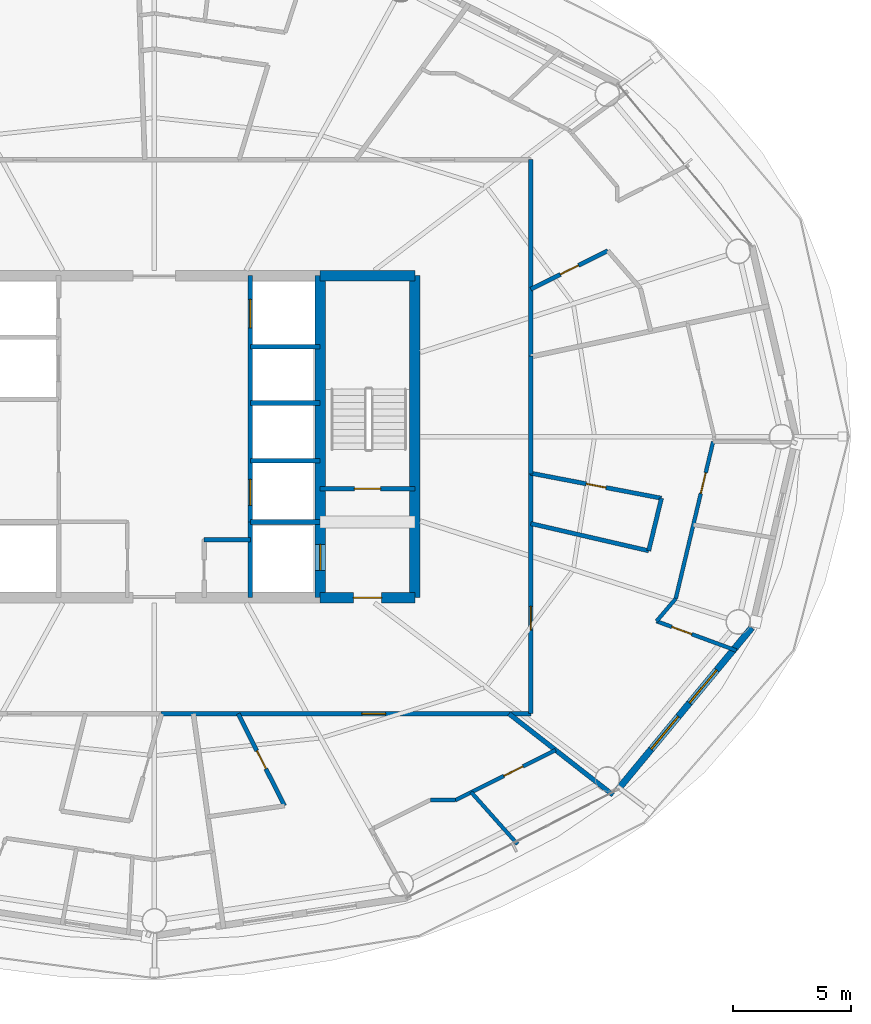
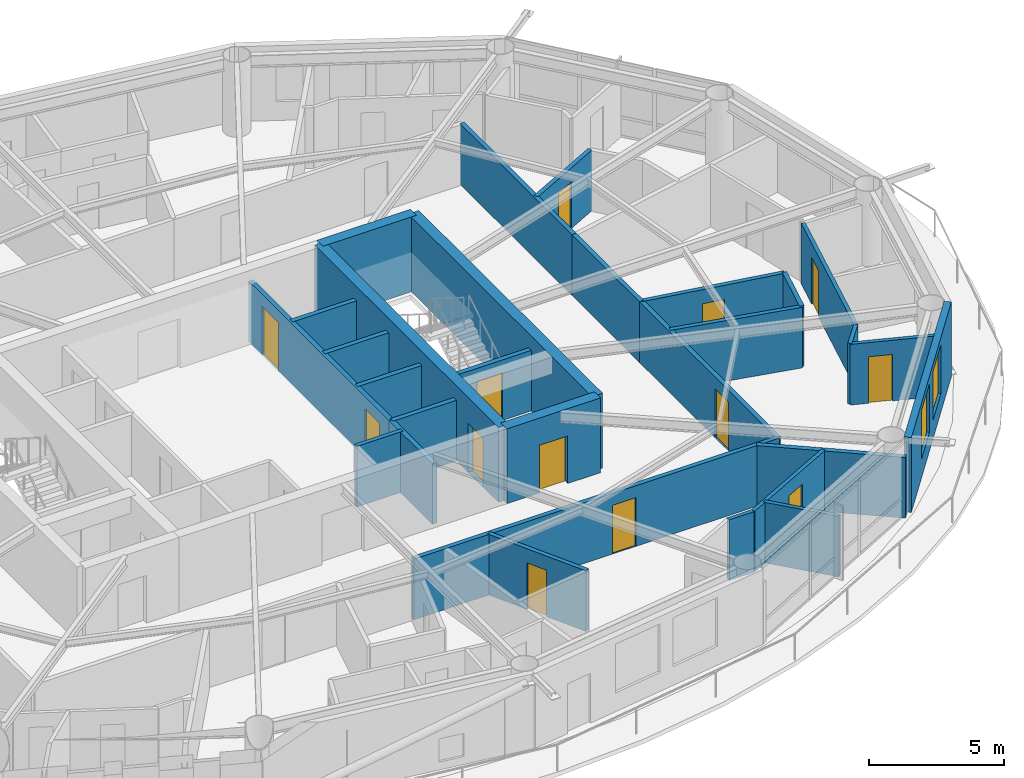
# One storey, part 23 of 30: 29 walls, 13 doors, 2 windows, 15 openings.
"""IFC4 building model written with IfcOpenShell, lengths in metres."""

from ifc_helpers import new_model, si_unit, direction, frame, frame_2d, origin, place, context, subcontext, project, spatial, rectangle, extrude, material, layer, layer_set, type_object, element, fill, save


model = new_model("IFC4")

# Units and contexts
model_context = context("Model", 3, precision=1e-05, world=origin(), true_north=direction((0.0, 1.0)))
body_context = subcontext(model_context, "Body", "Model", "MODEL_VIEW")
ifc_project = project(units=[si_unit("LENGTHUNIT", "METRE"), si_unit("AREAUNIT", "SQUARE_METRE"), si_unit("VOLUMEUNIT", "CUBIC_METRE"), si_unit("PLANEANGLEUNIT", "RADIAN"), si_unit("MASSUNIT", "GRAM", prefix="KILO")], contexts=[model_context])

# Site, building, storey
site_placement = place(None, origin())
site = spatial("IfcSite", under=ifc_project, at=site_placement, CompositionType="ELEMENT")
building_placement = place(site_placement, origin())
building = spatial("IfcBuilding", under=site, at=building_placement, Name="Sarneth Arch Tower", CompositionType="ELEMENT")
storey_placement = place(building_placement, frame((0.0, 0.0, 168.60009765625)))
storey = spatial("IfcBuildingStorey", under=building, at=storey_placement, Name="L42", CompositionType="ELEMENT", Elevation=168.60009765625)

# Wall, opening, door
ifc_material_1 = material(Name="Concrete C50/60", Category="concrete")
ifc_layer_1 = layer(ifc_material_1, 0.449951171875)
ifc_layer_set_1 = layer_set([ifc_layer_1], Name="Concrete C50/60")
wall_type_1 = type_object("IfcWallType", Name="WALL-CORE-450", PredefinedType="SHEAR", material=ifc_layer_set_1)
wall_1_placement = place(storey_placement, frame((55.0, 35.199951171875, 0.0), z_axis=(0.0, 0.0, 1.0), x_axis=(1.0, 0.0, 0.0)))
wall_1 = element("IfcWall", 1, at=wall_1_placement, inside=storey, type_object=wall_type_1, Name="L42 Core shear wall S-E", PredefinedType="SHEAR", context=body_context, shape_type="SweptSolid", body=[
    extrude(rectangle(XDim=4.0, YDim=0.449951171875, at=frame_2d((2.0, 0.0))), origin(), (0.0, 0.0, 1.0), 3.3798828125),
])
opening_1_placement = place(wall_1_placement, frame((1.39990234375, 0.0, 0.0)))
opening_1 = element("IfcOpeningElement", 2, at=opening_1_placement, cuts=wall_1, Name="Opening FD-02", PredefinedType="OPENING", context=body_context, shape_type="SweptSolid", body=[
    extrude(rectangle(XDim=1.199951171875, YDim=2.14990234375, at=frame_2d((0.60009765625, 1.074951171875))), frame((0.0, 0.23486328125, 0.0), z_axis=(0.0, -1.0, 0.0), x_axis=(1.0, 0.0, 0.0)), (0.0, 0.0, 1.0), 0.469970703125),
])
ifc_material_2 = material(Name="Galvanised Steel S275 fire door set", Category="steel")
door_type_1 = type_object("IfcDoorType", Name="DR-FD90-1200", OperationType="SINGLE_SWING_LEFT", PredefinedType="DOOR", material=ifc_material_2)
door_1_placement = place(opening_1_placement, origin())
door_1 = element("IfcDoor", 3, at=door_1_placement, inside=storey, type_object=door_type_1, Name="L42 Firefighting lobby 2 exit door", OperationType="SINGLE_SWING_RIGHT", OverallHeight=2.14990234375, OverallWidth=1.199951171875, PredefinedType="DOOR", context=body_context, shape_type="SweptSolid", body=[
    extrude(rectangle(XDim=1.199951171875, YDim=2.14990234375, at=frame_2d((0.60009765625, 1.074951171875))), frame((0.0, 0.02490234375, 0.0), z_axis=(0.0, -1.0, 0.0), x_axis=(1.0, 0.0, 0.0)), (0.0, 0.0, 1.0), 0.050048828125),
])
fill(opening_1, door_1)

# Walls
wall_2_placement = place(storey_placement, frame((55.0, 48.800048828125, 0.0), z_axis=(0.0, 0.0, 1.0), x_axis=(1.0, 0.0, 0.0)))
element("IfcWall", 4, at=wall_2_placement, inside=storey, type_object=wall_type_1, Name="L42 Core shear wall N-E", PredefinedType="SHEAR", context=body_context, shape_type="SweptSolid", body=[
    extrude(rectangle(XDim=4.0, YDim=0.449951171875, at=frame_2d((2.0, 0.0))), origin(), (0.0, 0.0, 1.0), 3.3798828125),
])
wall_3_placement = place(storey_placement, frame((59.0, 35.199951171875, 0.0), z_axis=(0.0, 0.0, 1.0), x_axis=(0.0, 1.0, 0.0)))
element("IfcWall", 5, at=wall_3_placement, inside=storey, type_object=wall_type_1, Name="L42 Core shear wall E", PredefinedType="SHEAR", context=body_context, shape_type="SweptSolid", body=[
    extrude(rectangle(XDim=13.60009765625, YDim=0.449951171875, at=frame_2d((6.800048828125, 0.0))), origin(), (0.0, 0.0, 1.0), 3.3798828125),
])

# Wall, opening, door
wall_4_placement = place(storey_placement, frame((55.0, 35.199951171875, 0.0), z_axis=(0.0, 0.0, 1.0), x_axis=(0.0, 1.0, 0.0)))
wall_4 = element("IfcWall", 6, at=wall_4_placement, inside=storey, type_object=wall_type_1, Name="L42 Core shear wall WEB-E", PredefinedType="SHEAR", context=body_context, shape_type="SweptSolid", body=[
    extrude(rectangle(XDim=13.60009765625, YDim=0.449951171875, at=frame_2d((6.800048828125, 0.0))), origin(), (0.0, 0.0, 1.0), 3.3798828125),
])
opening_2_placement = place(wall_4_placement, frame((1.14990234375, 0.0, 0.0)))
opening_2 = element("IfcOpeningElement", 7, at=opening_2_placement, cuts=wall_4, Name="Opening LD-1", PredefinedType="OPENING", context=body_context, shape_type="SweptSolid", body=[
    extrude(rectangle(XDim=1.10009765625, YDim=2.199951171875, at=frame_2d((0.550048828125, 1.10009765625))), frame((0.0, 0.23486328125, 0.0), z_axis=(0.0, -1.0, 0.0), x_axis=(1.0, 0.0, 0.0)), (0.0, 0.0, 1.0), 0.469970703125),
])
ifc_material_3 = material(Name="Brushed Stainless Steel 304 lift landing door", Category="steel")
door_type_2 = type_object("IfcDoorType", Name="DR-LIFT-SLIDE-1100", OperationType="SLIDING_TO_LEFT", PredefinedType="DOOR", material=ifc_material_3)
door_2_placement = place(opening_2_placement, origin())
door_2 = element("IfcDoor", 8, at=door_2_placement, inside=storey, type_object=door_type_2, Name="L42 Firefighting lift landing door FL-2", OperationType="SLIDING_TO_RIGHT", OverallHeight=2.199951171875, OverallWidth=1.10009765625, PredefinedType="DOOR", context=body_context, shape_type="SweptSolid", body=[
    extrude(rectangle(XDim=1.10009765625, YDim=2.199951171875, at=frame_2d((0.550048828125, 1.10009765625))), frame((0.0, 0.02490234375, 0.0), z_axis=(0.0, -1.0, 0.0), x_axis=(1.0, 0.0, 0.0)), (0.0, 0.0, 1.0), 0.050048828125),
])
fill(opening_2, door_2)

ifc_material_4 = material(Name="Double steel-stud corridor fire wall", Category="steel")
ifc_layer_2 = layer(ifc_material_4, 0.18994140625)
ifc_layer_set_2 = layer_set([ifc_layer_2], Name="Double steel-stud corridor fire wall")
wall_type_2 = type_object("IfcWallType", Name="WALL-CORR-190", PredefinedType="PARTITIONING", material=ifc_layer_set_2)
wall_5_placement = place(storey_placement, frame((63.89990234375, 30.300048828125, 0.0), z_axis=(0.0, 0.0, 1.0), x_axis=(-1.0, 0.0, 0.0)))
wall_5 = element("IfcWall", 9, at=wall_5_placement, inside=storey, type_object=wall_type_2, Name="L42 Interior partition W-L42-TP-017", PredefinedType="PARTITIONING", context=body_context, shape_type="SweptSolid", body=[
    extrude(rectangle(XDim=15.62548828125, YDim=0.18994140625, at=frame_2d((7.812744140625, 0.0))), origin(), (0.0, 0.0, 1.0), 2.739990234375),
])
opening_3_placement = place(wall_5_placement, frame((6.13720703125, 0.0, 0.0)))
opening_3 = element("IfcOpeningElement", 10, at=opening_3_placement, cuts=wall_5, Name="Opening FD-08", PredefinedType="OPENING", context=body_context, shape_type="SweptSolid", body=[
    extrude(rectangle(XDim=1.0, YDim=2.199951171875, at=frame_2d((0.5, 1.10009765625))), frame((0.0, 0.10498046875, 0.0), z_axis=(0.0, -1.0, 0.0), x_axis=(1.0, 0.0, 0.0)), (0.0, 0.0, 1.0), 0.2099609375),
])
ifc_material_5 = material(Name="Hardwood timber acoustic fire door", Category="wood")
door_type_3 = type_object("IfcDoorType", Name="DR-FD60-1000", OperationType="SINGLE_SWING_LEFT", PredefinedType="DOOR", material=ifc_material_5)
door_3_placement = place(opening_3_placement, origin())
door_3 = element("IfcDoor", 11, at=door_3_placement, inside=storey, type_object=door_type_3, Name="L42 Interior door DR-L42-U7-ENT", OperationType="SINGLE_SWING_LEFT", OverallHeight=2.199951171875, OverallWidth=1.0, PredefinedType="DOOR", context=body_context, shape_type="SweptSolid", body=[
    extrude(rectangle(XDim=1.0, YDim=2.199951171875, at=frame_2d((0.5, 1.10009765625))), frame((0.0, 0.02490234375, 0.0), z_axis=(0.0, -1.0, 0.0), x_axis=(1.0, 0.0, 0.0)), (0.0, 0.0, 1.0), 0.050048828125),
])
fill(opening_3, door_3)

wall_6_placement = place(storey_placement, frame((63.89990234375, 40.490478515625, 0.0), z_axis=(0.0, 0.0, 1.0), x_axis=(0.0, -1.0, 0.0)))
wall_6 = element("IfcWall", 12, at=wall_6_placement, inside=storey, type_object=wall_type_2, Name="L42 Interior partition W-L42-TP-019", PredefinedType="PARTITIONING", context=body_context, shape_type="SweptSolid", body=[
    extrude(rectangle(XDim=10.1904296875, YDim=0.18994140625, at=frame_2d((5.09521484375, 0.0))), origin(), (0.0, 0.0, 1.0), 2.739990234375),
])
opening_4_placement = place(wall_6_placement, frame((5.659423828125, 0.0, 0.0)))
opening_4 = element("IfcOpeningElement", 13, at=opening_4_placement, cuts=wall_6, Name="Opening FD-08", PredefinedType="OPENING", context=body_context, shape_type="SweptSolid", body=[
    extrude(rectangle(XDim=1.0, YDim=2.199951171875, at=frame_2d((0.5, 1.10009765625))), frame((0.0, 0.10498046875, 0.0), z_axis=(0.0, -1.0, 0.0), x_axis=(1.0, 0.0, 0.0)), (0.0, 0.0, 1.0), 0.2099609375),
])
door_4_placement = place(opening_4_placement, origin())
door_4 = element("IfcDoor", 14, at=door_4_placement, inside=storey, type_object=door_type_3, Name="L42 Interior door DR-L42-U8-ENT", OperationType="SINGLE_SWING_LEFT", OverallHeight=2.199951171875, OverallWidth=1.0, PredefinedType="DOOR", context=body_context, shape_type="SweptSolid", body=[
    extrude(rectangle(XDim=1.0, YDim=2.199951171875, at=frame_2d((0.5, 1.10009765625))), frame((0.0, 0.02490234375, 0.0), z_axis=(0.0, -1.0, 0.0), x_axis=(1.0, 0.0, 0.0)), (0.0, 0.0, 1.0), 0.050048828125),
])
fill(opening_4, door_4)

# Walls
wall_7_placement = place(storey_placement, frame((63.89990234375, 53.699951171875, 0.0), z_axis=(0.0, 0.0, 1.0), x_axis=(0.0, -1.0, 0.0)))
element("IfcWall", 15, at=wall_7_placement, inside=storey, type_object=wall_type_2, Name="L42 Interior partition W-L42-TP-002", PredefinedType="PARTITIONING", context=body_context, shape_type="SweptSolid", body=[
    extrude(rectangle(XDim=8.3203125, YDim=0.18994140625, at=frame_2d((4.16015625, 0.0))), origin(), (0.0, 0.0, 1.0), 2.739990234375),
])
wall_8_placement = place(storey_placement, frame((63.89990234375, 45.412353515625, 0.0), z_axis=(0.0, 0.0, 1.0), x_axis=(0.0, -1.0, 0.0)))
element("IfcWall", 16, at=wall_8_placement, inside=storey, type_object=wall_type_2, Name="L42 Interior partition W-L42-TP-021", PredefinedType="PARTITIONING", context=body_context, shape_type="SweptSolid", body=[
    extrude(rectangle(XDim=4.987060546875, YDim=0.18994140625, at=frame_2d((2.49365234375, 0.0))), origin(), (0.0, 0.0, 1.0), 2.739990234375),
])

# Wall, openings, windows
ifc_material_6 = material(Name="Extruded terracotta rainscreen on Concrete C40/50 backing", Category="masonry")
ifc_layer_3 = layer(ifc_material_6, 0.280029296875)
ifc_layer_set_3 = layer_set([ifc_layer_3], Name="Extruded terracotta rainscreen on Concrete C40/50 backing")
wall_type_3 = type_object("IfcWallType", Name="WALL-EXT-TERRA-280", PredefinedType="SOLIDWALL", material=ifc_layer_set_3)
wall_9_placement = place(storey_placement, frame((67.576171875, 27.09423828125, 0.0), z_axis=(0.0, 0.0, 1.0), x_axis=(0.637333477683, 0.770588111915, 0.0)))
wall_9 = element("IfcWall", 17, at=wall_9_placement, inside=storey, type_object=wall_type_3, Name="L42 Terracotta perimeter wall 15", PredefinedType="SOLIDWALL", context=body_context, shape_type="SweptSolid", body=[
    extrude(rectangle(XDim=8.874755859375, YDim=0.280029296875, at=frame_2d((4.4375, 0.0))), origin(), (0.0, 0.0, 1.0), 3.3798828125),
])
opening_5_placement = place(wall_9_placement, frame((2.206787109375, 0.0, 0.85009765625)))
opening_5 = element("IfcOpeningElement", 18, at=opening_5_placement, cuts=wall_9, Name="Opening W-04", PredefinedType="OPENING", context=body_context, shape_type="SweptSolid", body=[
    extrude(rectangle(XDim=1.800048828125, YDim=2.199951171875, at=frame_2d((0.89990234375, 1.10009765625))), frame((0.0, 0.14990234375, 0.0), z_axis=(0.0, -1.0, 0.0), x_axis=(1.0, 0.0, 0.0)), (0.0, 0.0, 1.0), 0.300048828125),
])
opening_6_placement = place(wall_9_placement, frame((4.751953125, 0.0, 0.85009765625)))
opening_6 = element("IfcOpeningElement", 19, at=opening_6_placement, cuts=wall_9, Name="Opening W-04", PredefinedType="OPENING", context=body_context, shape_type="SweptSolid", body=[
    extrude(rectangle(XDim=1.800048828125, YDim=2.199951171875, at=frame_2d((0.89990234375, 1.10009765625))), frame((0.0, 0.14990234375, 0.0), z_axis=(0.0, -1.0, 0.0), x_axis=(1.0, 0.0, 0.0)), (0.0, 0.0, 1.0), 0.300048828125),
])
ifc_material_7 = material(Name="Thermally broken Aluminium 6063-T6 and low-e laminated IGU", Category="aluminium")
window_type = type_object("IfcWindowType", Name="WIN-TWR-1800x2200", PartitioningType="DOUBLE_PANEL_VERTICAL", PredefinedType="WINDOW", material=ifc_material_7)
window_1_placement = place(opening_5_placement, origin())
window_1 = element("IfcWindow", 20, at=window_1_placement, inside=storey, type_object=window_type, Name="L42 Exterior window 15A", OverallHeight=2.199951171875, OverallWidth=1.800048828125, PartitioningType="SINGLE_PANEL", PredefinedType="WINDOW", context=body_context, shape_type="SweptSolid", body=[
    extrude(rectangle(XDim=1.800048828125, YDim=2.199951171875, at=frame_2d((0.89990234375, 1.10009765625))), frame((0.0, 0.030029296875, 0.0), z_axis=(0.0, -1.0, 0.0), x_axis=(1.0, 0.0, 0.0)), (0.0, 0.0, 1.0), 0.06005859375),
])
fill(opening_5, window_1)
window_2_placement = place(opening_6_placement, origin())
window_2 = element("IfcWindow", 21, at=window_2_placement, inside=storey, type_object=window_type, Name="L42 Exterior window 15B", OverallHeight=2.199951171875, OverallWidth=1.800048828125, PartitioningType="SINGLE_PANEL", PredefinedType="WINDOW", context=body_context, shape_type="SweptSolid", body=[
    extrude(rectangle(XDim=1.800048828125, YDim=2.199951171875, at=frame_2d((0.89990234375, 1.10009765625))), frame((0.0, 0.030029296875, 0.0), z_axis=(0.0, -1.0, 0.0), x_axis=(1.0, 0.0, 0.0)), (0.0, 0.0, 1.0), 0.06005859375),
])
fill(opening_6, window_2)

# Wall, opening, door
ifc_material_8 = material(Name="Kitchen wet service chase wall", Category="gypsum")
ifc_layer_4 = layer(ifc_material_8, 0.159912109375)
ifc_layer_set_4 = layer_set([ifc_layer_4], Name="Kitchen wet service chase wall")
wall_type_4 = type_object("IfcWallType", Name="WALL-PLUMB-160", PredefinedType="PLUMBINGWALL", material=ifc_layer_set_4)
wall_10_placement = place(storey_placement, frame((60.71337890625, 26.64990234375, 0.0), z_axis=(0.0, 0.0, 1.0), x_axis=(0.894932492822, 0.446201561283, 0.0)))
wall_10 = element("IfcWall", 22, at=wall_10_placement, inside=storey, type_object=wall_type_4, Name="L42 Interior partition W-L42-TP-105", PredefinedType="PLUMBINGWALL", context=body_context, shape_type="SweptSolid", body=[
    extrude(rectangle(XDim=4.7294921875, YDim=0.159912109375, at=frame_2d((2.36474609375, 0.0))), origin(), (0.0, 0.0, 1.0), 2.739990234375),
])
opening_7_placement = place(wall_10_placement, frame((2.287841796875, 0.0, 0.0)))
opening_7 = element("IfcOpeningElement", 23, at=opening_7_placement, cuts=wall_10, Name="Opening ID-01", PredefinedType="OPENING", context=body_context, shape_type="SweptSolid", body=[
    extrude(rectangle(XDim=0.89990234375, YDim=2.10009765625, at=frame_2d((0.449951171875, 1.050048828125))), frame((0.0, 0.08984375, 0.0), z_axis=(0.0, -1.0, 0.0), x_axis=(1.0, 0.0, 0.0)), (0.0, 0.0, 1.0), 0.179931640625),
])
ifc_material_9 = material(Name="Engineered hardwood flush door", Category="wood")
door_type_4 = type_object("IfcDoorType", Name="DR-INT-900", OperationType="SINGLE_SWING_LEFT", PredefinedType="DOOR", material=ifc_material_9)
door_5_placement = place(opening_7_placement, origin())
door_5 = element("IfcDoor", 24, at=door_5_placement, inside=storey, type_object=door_type_4, Name="L42 Interior door DR-L42-U7-BED1", OperationType="SINGLE_SWING_LEFT", OverallHeight=2.10009765625, OverallWidth=0.89990234375, PredefinedType="DOOR", context=body_context, shape_type="SweptSolid", body=[
    extrude(rectangle(XDim=0.89990234375, YDim=2.10009765625, at=frame_2d((0.449951171875, 1.050048828125))), frame((0.0, 0.02490234375, 0.0), z_axis=(0.0, -1.0, 0.0), x_axis=(1.0, 0.0, 0.0)), (0.0, 0.0, 1.0), 0.050048828125),
])
fill(opening_7, door_5)

wall_11_placement = place(storey_placement, frame((70.019287109375, 35.15771484375, 0.0), z_axis=(0.0, 0.0, 1.0), x_axis=(0.231657621012, 0.972797382103, 0.0)))
wall_11 = element("IfcWall", 25, at=wall_11_placement, inside=storey, type_object=wall_type_4, Name="L42 Interior partition W-L42-TP-115", PredefinedType="PLUMBINGWALL", context=body_context, shape_type="SweptSolid", body=[
    extrude(rectangle(XDim=6.82177734375, YDim=0.159912109375, at=frame_2d((3.410888671875, 0.0))), origin(), (0.0, 0.0, 1.0), 2.739990234375),
])
opening_8_placement = place(wall_11_placement, frame((4.566650390625, 0.0, 0.0)))
opening_8 = element("IfcOpeningElement", 26, at=opening_8_placement, cuts=wall_11, Name="Opening ID-01", PredefinedType="OPENING", context=body_context, shape_type="SweptSolid", body=[
    extrude(rectangle(XDim=0.89990234375, YDim=2.10009765625, at=frame_2d((0.449951171875, 1.050048828125))), frame((0.0, 0.08984375, 0.0), z_axis=(0.0, -1.0, 0.0), x_axis=(1.0, 0.0, 0.0)), (0.0, 0.0, 1.0), 0.179931640625),
])
door_6_placement = place(opening_8_placement, origin())
door_6 = element("IfcDoor", 27, at=door_6_placement, inside=storey, type_object=door_type_4, Name="L42 Interior door DR-L42-U8-BED1", OperationType="SINGLE_SWING_LEFT", OverallHeight=2.10009765625, OverallWidth=0.89990234375, PredefinedType="DOOR", context=body_context, shape_type="SweptSolid", body=[
    extrude(rectangle(XDim=0.89990234375, YDim=2.10009765625, at=frame_2d((0.449951171875, 1.050048828125))), frame((0.0, 0.02490234375, 0.0), z_axis=(0.0, -1.0, 0.0), x_axis=(1.0, 0.0, 0.0)), (0.0, 0.0, 1.0), 0.050048828125),
])
fill(opening_8, door_6)

wall_12_placement = place(storey_placement, frame((69.20849609375, 34.204833984375, 0.0), z_axis=(0.0, 0.0, 1.0), x_axis=(0.938602834346, -0.344999593272, 0.0)))
wall_12 = element("IfcWall", 28, at=wall_12_placement, inside=storey, type_object=wall_type_4, Name="L42 Interior partition W-L42-TP-111", PredefinedType="PLUMBINGWALL", context=body_context, shape_type="SweptSolid", body=[
    extrude(rectangle(XDim=3.59130859375, YDim=0.159912109375, at=frame_2d((1.795654296875, 0.0))), origin(), (0.0, 0.0, 1.0), 2.739990234375),
])
opening_9_placement = place(wall_12_placement, frame((0.685546875, 0.0, 0.0)))
opening_9 = element("IfcOpeningElement", 29, at=opening_9_placement, cuts=wall_12, Name="Opening ID-01", PredefinedType="OPENING", context=body_context, shape_type="SweptSolid", body=[
    extrude(rectangle(XDim=0.89990234375, YDim=2.10009765625, at=frame_2d((0.449951171875, 1.050048828125))), frame((0.0, 0.08984375, 0.0), z_axis=(0.0, -1.0, 0.0), x_axis=(1.0, 0.0, 0.0)), (0.0, 0.0, 1.0), 0.179931640625),
])
door_7_placement = place(opening_9_placement, origin())
door_7 = element("IfcDoor", 30, at=door_7_placement, inside=storey, type_object=door_type_4, Name="L42 Interior door DR-L42-U8-KIT", OperationType="SINGLE_SWING_LEFT", OverallHeight=2.10009765625, OverallWidth=0.89990234375, PredefinedType="DOOR", context=body_context, shape_type="SweptSolid", body=[
    extrude(rectangle(XDim=0.89990234375, YDim=2.10009765625, at=frame_2d((0.449951171875, 1.050048828125))), frame((0.0, 0.02490234375, 0.0), z_axis=(0.0, -1.0, 0.0), x_axis=(1.0, 0.0, 0.0)), (0.0, 0.0, 1.0), 0.050048828125),
])
fill(opening_9, door_7)

# Walls
wall_13_placement = place(storey_placement, frame((63.335205078125, 24.78955078125, 0.0), z_axis=(0.0, 0.0, 1.0), x_axis=(-0.665255741341, 0.746615562799, 0.0)))
element("IfcWall", 31, at=wall_13_placement, inside=storey, type_object=wall_type_4, Name="L42 Interior partition W-L42-TP-107", PredefinedType="PLUMBINGWALL", context=body_context, shape_type="SweptSolid", body=[
    extrude(rectangle(XDim=2.937744140625, YDim=0.159912109375, at=frame_2d((1.46875, 0.0))), origin(), (0.0, 0.0, 1.0), 2.739990234375),
])
wall_14_placement = place(storey_placement, frame((70.01953125, 35.15771484375, 0.0), z_axis=(0.0, 0.0, 1.0), x_axis=(-0.648152333742, -0.761510703972, 0.0)))
element("IfcWall", 32, at=wall_14_placement, inside=storey, type_object=wall_type_4, Name="L42 Interior partition W-L42-TP-110", PredefinedType="PLUMBINGWALL", context=body_context, shape_type="SweptSolid", body=[
    extrude(rectangle(XDim=1.251220703125, YDim=0.159912109375, at=frame_2d((0.62548828125, 0.0))), origin(), (0.0, 0.0, 1.0), 2.739990234375),
])
wall_15_placement = place(storey_placement, frame((60.71337890625, 26.64990234375, 0.0), z_axis=(0.0, 0.0, 1.0), x_axis=(-1.0, 0.0, 0.0)))
element("IfcWall", 33, at=wall_15_placement, inside=storey, type_object=wall_type_4, Name="L42 Interior partition W-L42-TP-099", PredefinedType="PLUMBINGWALL", context=body_context, shape_type="SweptSolid", body=[
    extrude(rectangle(XDim=1.062255859375, YDim=0.159912109375, at=frame_2d((0.53125, 0.0))), origin(), (0.0, 0.0, 1.0), 2.739990234375),
])
ifc_material_10 = material(Name="Moisture-resistant plumbing chase wall", Category="gypsum")
ifc_layer_5 = layer(ifc_material_10, 0.179931640625)
ifc_layer_set_5 = layer_set([ifc_layer_5], Name="Moisture-resistant plumbing chase wall")
wall_type_5 = type_object("IfcWallType", Name="WALL-PLUMB-180", PredefinedType="PLUMBINGWALL", material=ifc_layer_set_5)
wall_16_placement = place(storey_placement, frame((50.10009765625, 37.64990234375, 0.0), z_axis=(0.0, 0.0, 1.0), x_axis=(1.0, 0.0, 0.0)))
element("IfcWall", 34, at=wall_16_placement, inside=storey, type_object=wall_type_5, Name="L42 Interior partition W-L42-AWC-N", PredefinedType="PLUMBINGWALL", context=body_context, shape_type="SweptSolid", body=[
    extrude(rectangle(XDim=1.949951171875, YDim=0.179931640625, at=frame_2d((0.97509765625, 0.0))), origin(), (0.0, 0.0, 1.0), 2.739990234375),
])

# Wall, opening, door
wall_17_placement = place(storey_placement, frame((69.4150390625, 39.400146484375, 0.0), z_axis=(0.0, 0.0, 1.0), x_axis=(-0.98210492306, 0.188334596135, 0.0)))
wall_17 = element("IfcWall", 35, at=wall_17_placement, inside=storey, type_object=wall_type_5, Name="L42 Interior partition W-L42-TP-114", PredefinedType="PLUMBINGWALL", context=body_context, shape_type="SweptSolid", body=[
    extrude(rectangle(XDim=5.61572265625, YDim=0.179931640625, at=frame_2d((2.807861328125, 0.0))), origin(), (0.0, 0.0, 1.0), 2.739990234375),
])
opening_10_placement = place(wall_17_placement, frame((2.3828125, 0.0, 0.0)))
opening_10 = element("IfcOpeningElement", 36, at=opening_10_placement, cuts=wall_17, Name="Opening ID-02", PredefinedType="OPENING", context=body_context, shape_type="SweptSolid", body=[
    extrude(rectangle(XDim=0.85009765625, YDim=2.10009765625, at=frame_2d((0.425048828125, 1.050048828125))), frame((0.0, 0.099853515625, 0.0), z_axis=(0.0, -1.0, 0.0), x_axis=(1.0, 0.0, 0.0)), (0.0, 0.0, 1.0), 0.199951171875),
])
ifc_material_11 = material(Name="Moisture-resistant bathroom timber door", Category="wood")
door_type_5 = type_object("IfcDoorType", Name="DR-INT-850", OperationType="SINGLE_SWING_RIGHT", PredefinedType="DOOR", material=ifc_material_11)
door_8_placement = place(opening_10_placement, origin())
door_8 = element("IfcDoor", 37, at=door_8_placement, inside=storey, type_object=door_type_5, Name="L42 Interior door DR-L42-U8-BATH", OperationType="SINGLE_SWING_RIGHT", OverallHeight=2.10009765625, OverallWidth=0.85009765625, PredefinedType="DOOR", context=body_context, shape_type="SweptSolid", body=[
    extrude(rectangle(XDim=0.85009765625, YDim=2.10009765625, at=frame_2d((0.425048828125, 1.050048828125))), frame((0.0, 0.02490234375, 0.0), z_axis=(0.0, -1.0, 0.0), x_axis=(1.0, 0.0, 0.0)), (0.0, 0.0, 1.0), 0.050048828125),
])
fill(opening_10, door_8)

# Wall
wall_18_placement = place(storey_placement, frame((63.89990234375, 38.3291015625, 0.0), z_axis=(0.0, 0.0, 1.0), x_axis=(0.974377500084, -0.224918846098, 0.0)))
element("IfcWall", 38, at=wall_18_placement, inside=storey, type_object=wall_type_5, Name="L42 Interior partition W-L42-TP-112", PredefinedType="PLUMBINGWALL", context=body_context, shape_type="SweptSolid", body=[
    extrude(rectangle(XDim=5.108154296875, YDim=0.179931640625, at=frame_2d((2.55419921875, 0.0))), origin(), (0.0, 0.0, 1.0), 2.739990234375),
])

# Wall, opening, door
wall_19_placement = place(storey_placement, frame((53.493896484375, 26.40966796875, 0.0), z_axis=(0.0, 0.0, 1.0), x_axis=(-0.449879384809, 0.89308932315, 0.0)))
wall_19 = element("IfcWall", 39, at=wall_19_placement, inside=storey, type_object=wall_type_5, Name="L42 Interior partition W-L42-TP-104", PredefinedType="PLUMBINGWALL", context=body_context, shape_type="SweptSolid", body=[
    extrude(rectangle(XDim=4.356201171875, YDim=0.179931640625, at=frame_2d((2.17822265625, 0.0))), origin(), (0.0, 0.0, 1.0), 2.739990234375),
])
opening_11_placement = place(wall_19_placement, frame((1.7529296875, 0.0, 0.0)))
opening_11 = element("IfcOpeningElement", 40, at=opening_11_placement, cuts=wall_19, Name="Opening ID-02", PredefinedType="OPENING", context=body_context, shape_type="SweptSolid", body=[
    extrude(rectangle(XDim=0.85009765625, YDim=2.10009765625, at=frame_2d((0.425048828125, 1.050048828125))), frame((0.0, 0.099853515625, 0.0), z_axis=(0.0, -1.0, 0.0), x_axis=(1.0, 0.0, 0.0)), (0.0, 0.0, 1.0), 0.199951171875),
])
door_9_placement = place(opening_11_placement, origin())
door_9 = element("IfcDoor", 41, at=door_9_placement, inside=storey, type_object=door_type_5, Name="L42 Interior door DR-L42-U7-BATH", OperationType="SINGLE_SWING_LEFT", OverallHeight=2.10009765625, OverallWidth=0.85009765625, PredefinedType="DOOR", context=body_context, shape_type="SweptSolid", body=[
    extrude(rectangle(XDim=0.85009765625, YDim=2.10009765625, at=frame_2d((0.425048828125, 1.050048828125))), frame((0.0, 0.02490234375, 0.0), z_axis=(0.0, -1.0, 0.0), x_axis=(1.0, 0.0, 0.0)), (0.0, 0.0, 1.0), 0.050048828125),
])
fill(opening_11, door_9)

wall_20_placement = place(storey_placement, frame((67.151611328125, 49.855712890625, 0.0), z_axis=(0.0, 0.0, 1.0), x_axis=(-0.894843352961, -0.446380301605, 0.0)))
wall_20 = element("IfcWall", 42, at=wall_20_placement, inside=storey, type_object=wall_type_5, Name="L42 Interior partition W-L42-TP-028", PredefinedType="PLUMBINGWALL", context=body_context, shape_type="SweptSolid", body=[
    extrude(rectangle(XDim=3.6337890625, YDim=0.179931640625, at=frame_2d((1.81689453125, 0.0))), origin(), (0.0, 0.0, 1.0), 2.739990234375),
])
opening_12_placement = place(wall_20_placement, frame((1.391845703125, 0.0, 0.0)))
opening_12 = element("IfcOpeningElement", 43, at=opening_12_placement, cuts=wall_20, Name="Opening ID-02", PredefinedType="OPENING", context=body_context, shape_type="SweptSolid", body=[
    extrude(rectangle(XDim=0.85009765625, YDim=2.10009765625, at=frame_2d((0.425048828125, 1.050048828125))), frame((0.0, 0.099853515625, 0.0), z_axis=(0.0, -1.0, 0.0), x_axis=(1.0, 0.0, 0.0)), (0.0, 0.0, 1.0), 0.199951171875),
])
door_10_placement = place(opening_12_placement, origin())
door_10 = element("IfcDoor", 44, at=door_10_placement, inside=storey, type_object=door_type_5, Name="L42 Interior door DR-L42-U1-BATH", OperationType="SINGLE_SWING_RIGHT", OverallHeight=2.10009765625, OverallWidth=0.85009765625, PredefinedType="DOOR", context=body_context, shape_type="SweptSolid", body=[
    extrude(rectangle(XDim=0.85009765625, YDim=2.10009765625, at=frame_2d((0.425048828125, 1.050048828125))), frame((0.0, 0.02490234375, 0.0), z_axis=(0.0, -1.0, 0.0), x_axis=(1.0, 0.0, 0.0)), (0.0, 0.0, 1.0), 0.050048828125),
])
fill(opening_12, door_10)

# Wall
wall_21_placement = place(storey_placement, frame((68.877197265625, 37.18017578125, 0.0), z_axis=(0.0, 0.0, 1.0), x_axis=(0.235462364404, 0.971883467783, 0.0)))
element("IfcWall", 45, at=wall_21_placement, inside=storey, type_object=wall_type_5, Name="L42 Interior partition W-L42-TP-113", PredefinedType="PLUMBINGWALL", context=body_context, shape_type="SweptSolid", body=[
    extrude(rectangle(XDim=2.2841796875, YDim=0.179931640625, at=frame_2d((1.14208984375, 0.0))), origin(), (0.0, 0.0, 1.0), 2.739990234375),
])

# Wall, opening, door
ifc_material_12 = material(Name="Aerated concrete blockwork C25/30", Category="masonry")
ifc_layer_6 = layer(ifc_material_12, 0.199951171875)
ifc_layer_set_6 = layer_set([ifc_layer_6], Name="Aerated concrete blockwork C25/30")
wall_type_6 = type_object("IfcWallType", Name="WALL-SHAFT-200", PredefinedType="SOLIDWALL", material=ifc_layer_set_6)
wall_22_placement = place(storey_placement, frame((55.0, 39.800048828125, 0.0), z_axis=(0.0, 0.0, 1.0), x_axis=(1.0, 0.0, 0.0)))
wall_22 = element("IfcWall", 46, at=wall_22_placement, inside=storey, type_object=wall_type_6, Name="L42 Interior partition W-L42-ST2-S", PredefinedType="SOLIDWALL", context=body_context, shape_type="SweptSolid", body=[
    extrude(rectangle(XDim=4.0, YDim=0.199951171875, at=frame_2d((2.0, 0.0))), origin(), (0.0, 0.0, 1.0), 2.739990234375),
])
opening_13_placement = place(wall_22_placement, frame((1.449951171875, 0.0, 0.0)))
opening_13 = element("IfcOpeningElement", 47, at=opening_13_placement, cuts=wall_22, Name="Opening FD-03", PredefinedType="OPENING", context=body_context, shape_type="SweptSolid", body=[
    extrude(rectangle(XDim=1.10009765625, YDim=2.14990234375, at=frame_2d((0.550048828125, 1.074951171875))), frame((0.0, 0.10986328125, 0.0), z_axis=(0.0, -1.0, 0.0), x_axis=(1.0, 0.0, 0.0)), (0.0, 0.0, 1.0), 0.219970703125),
])
ifc_material_13 = material(Name="Galvanised Steel S275 fire door set", Category="steel")
door_type_6 = type_object("IfcDoorType", Name="DR-FD90-1100", OperationType="SINGLE_SWING_LEFT", PredefinedType="DOOR", material=ifc_material_13)
door_11_placement = place(opening_13_placement, origin())
door_11 = element("IfcDoor", 48, at=door_11_placement, inside=storey, type_object=door_type_6, Name="L42 Interior door DR-L42-ST2", OperationType="SINGLE_SWING_RIGHT", OverallHeight=2.14990234375, OverallWidth=1.10009765625, PredefinedType="DOOR", context=body_context, shape_type="SweptSolid", body=[
    extrude(rectangle(XDim=1.10009765625, YDim=2.14990234375, at=frame_2d((0.550048828125, 1.074951171875))), frame((0.0, 0.02490234375, 0.0), z_axis=(0.0, -1.0, 0.0), x_axis=(1.0, 0.0, 0.0)), (0.0, 0.0, 1.0), 0.050048828125),
])
fill(opening_13, door_11)

# Walls
wall_23_placement = place(storey_placement, frame((52.050048828125, 35.199951171875, 0.0), z_axis=(0.0, 0.0, 1.0), x_axis=(0.0, 1.0, 0.0)))
element("IfcWall", 49, at=wall_23_placement, inside=storey, type_object=wall_type_6, Name="L42 Interior partition W-L42-FL2-W", PredefinedType="SOLIDWALL", context=body_context, shape_type="SweptSolid", body=[
    extrude(rectangle(XDim=3.199951171875, YDim=0.199951171875, at=frame_2d((1.60009765625, 0.0))), origin(), (0.0, 0.0, 1.0), 2.739990234375),
])
wall_24_placement = place(storey_placement, frame((52.050048828125, 38.39990234375, 0.0), z_axis=(0.0, 0.0, 1.0), x_axis=(1.0, 0.0, 0.0)))
element("IfcWall", 50, at=wall_24_placement, inside=storey, type_object=wall_type_6, Name="L42 Interior partition W-L42-FL2-N", PredefinedType="SOLIDWALL", context=body_context, shape_type="SweptSolid", body=[
    extrude(rectangle(XDim=2.949951171875, YDim=0.199951171875, at=frame_2d((1.47509765625, 0.0))), origin(), (0.0, 0.0, 1.0), 2.739990234375),
])

# Wall, openings, doors
wall_25_placement = place(storey_placement, frame((52.050048828125, 38.39990234375, 0.0), z_axis=(0.0, 0.0, 1.0), x_axis=(0.0, 1.0, 0.0)))
wall_25 = element("IfcWall", 51, at=wall_25_placement, inside=storey, type_object=wall_type_6, Name="L42 Interior partition W-L42-EASTBANK-FRONT", PredefinedType="SOLIDWALL", context=body_context, shape_type="SweptSolid", body=[
    extrude(rectangle(XDim=10.400146484375, YDim=0.199951171875, at=frame_2d((5.2001953125, 0.0))), origin(), (0.0, 0.0, 1.0), 2.739990234375),
])
opening_14_placement = place(wall_25_placement, frame((0.699951171875, 0.0, 0.0)))
opening_14 = element("IfcOpeningElement", 52, at=opening_14_placement, cuts=wall_25, Name="Opening LD-1", PredefinedType="OPENING", context=body_context, shape_type="SweptSolid", body=[
    extrude(rectangle(XDim=1.10009765625, YDim=2.199951171875, at=frame_2d((0.550048828125, 1.10009765625))), frame((0.0, 0.10986328125, 0.0), z_axis=(0.0, -1.0, 0.0), x_axis=(1.0, 0.0, 0.0)), (0.0, 0.0, 1.0), 0.219970703125),
])
opening_15_placement = place(wall_25_placement, frame((8.199951171875, 0.0, 0.0)))
opening_15 = element("IfcOpeningElement", 53, at=opening_15_placement, cuts=wall_25, Name="Opening LD-2", PredefinedType="OPENING", context=body_context, shape_type="SweptSolid", body=[
    extrude(rectangle(XDim=1.199951171875, YDim=2.199951171875, at=frame_2d((0.60009765625, 1.10009765625))), frame((0.0, 0.10986328125, 0.0), z_axis=(0.0, -1.0, 0.0), x_axis=(1.0, 0.0, 0.0)), (0.0, 0.0, 1.0), 0.219970703125),
])
door_12_placement = place(opening_14_placement, origin())
door_12 = element("IfcDoor", 54, at=door_12_placement, inside=storey, type_object=door_type_2, Name="L42 Lift landing door DR-L42-LD-PM2", OperationType="SLIDING_TO_LEFT", OverallHeight=2.199951171875, OverallWidth=1.10009765625, PredefinedType="DOOR", context=body_context, shape_type="SweptSolid", body=[
    extrude(rectangle(XDim=1.10009765625, YDim=2.199951171875, at=frame_2d((0.550048828125, 1.10009765625))), frame((0.0, 0.02490234375, 0.0), z_axis=(0.0, -1.0, 0.0), x_axis=(1.0, 0.0, 0.0)), (0.0, 0.0, 1.0), 0.050048828125),
])
fill(opening_14, door_12)
ifc_material_14 = material(Name="Brushed Stainless Steel 304 service lift door", Category="steel")
door_type_7 = type_object("IfcDoorType", Name="DR-LIFT-SLIDE-1200", OperationType="SLIDING_TO_RIGHT", PredefinedType="DOOR", material=ifc_material_14)
door_13_placement = place(opening_15_placement, origin())
door_13 = element("IfcDoor", 55, at=door_13_placement, inside=storey, type_object=door_type_7, Name="L42 Lift landing door DR-L42-LD-SL1", OperationType="SLIDING_TO_RIGHT", OverallHeight=2.199951171875, OverallWidth=1.199951171875, PredefinedType="DOOR", context=body_context, shape_type="SweptSolid", body=[
    extrude(rectangle(XDim=1.199951171875, YDim=2.199951171875, at=frame_2d((0.60009765625, 1.10009765625))), frame((0.0, 0.02490234375, 0.0), z_axis=(0.0, -1.0, 0.0), x_axis=(1.0, 0.0, 0.0)), (0.0, 0.0, 1.0), 0.050048828125),
])
fill(opening_15, door_13)

# Walls
for number, where, z_axis, x_axis, name in (
    (56, (52.050048828125, 40.97998046875, 0.0), (0.0, 0.0, 1.0), (1.0, 0.0, 0.0), "L42 Interior partition W-L42-EB-DIV-4098"),
    (57, (52.050048828125, 43.419921875, 0.0), (0.0, 0.0, 1.0), (1.0, 0.0, 0.0), "L42 Interior partition W-L42-EB-DIV-4342"),
    (58, (52.050048828125, 45.800048828125, 0.0), (0.0, 0.0, 1.0), (1.0, 0.0, 0.0), "L42 Interior partition W-L42-EB-DIV-4580"),
):
    element("IfcWall", number, at=place(storey_placement, frame(where, z_axis=z_axis, x_axis=x_axis)), inside=storey, type_object=wall_type_6, Name=name, PredefinedType="SOLIDWALL", context=body_context, shape_type="SweptSolid", body=[
        extrude(rectangle(XDim=2.949951171875, YDim=0.199951171875, at=frame_2d((1.47509765625, 0.0))), origin(), (0.0, 0.0, 1.0), 2.739990234375),
    ])
ifc_material_15 = material(Name="Double steel-stud acoustic drywall", Category="steel")
ifc_layer_7 = layer(ifc_material_15, 0.199951171875)
ifc_layer_set_7 = layer_set([ifc_layer_7], Name="Double steel-stud acoustic drywall")
wall_type_7 = type_object("IfcWallType", Name="WALL-UNIT-200", PredefinedType="PARTITIONING", material=ifc_layer_set_7)
wall_26_placement = place(storey_placement, frame((67.370361328125, 26.8662109375, 0.0), z_axis=(0.0, 0.0, 1.0), x_axis=(-0.788004464355, 0.615669525117, 0.0)))
element("IfcWall", 59, at=wall_26_placement, inside=storey, type_object=wall_type_7, Name="L42 Interior partition W-L42-TP-108", PredefinedType="PARTITIONING", context=body_context, shape_type="SweptSolid", body=[
    extrude(rectangle(XDim=5.577392578125, YDim=0.199951171875, at=frame_2d((2.78857421875, 0.0))), origin(), (0.0, 0.0, 1.0), 2.739990234375),
])

save(model, "model.ifc")
